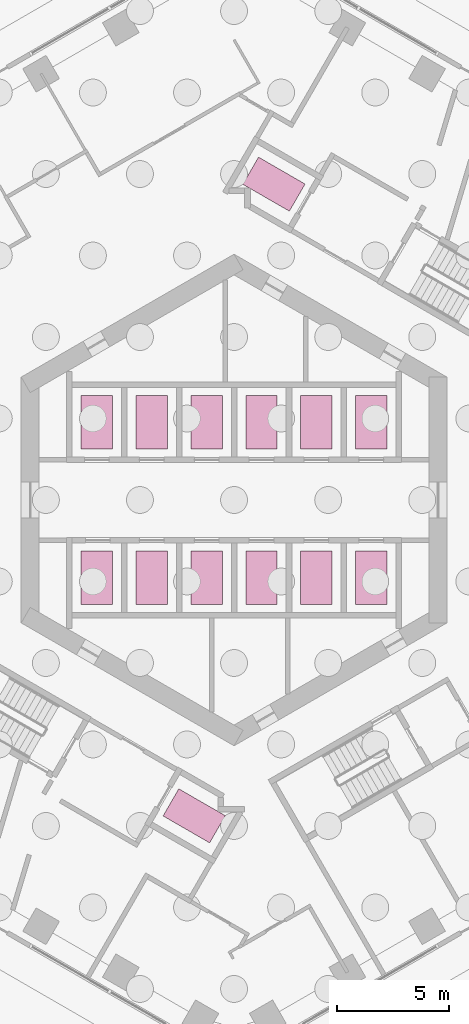
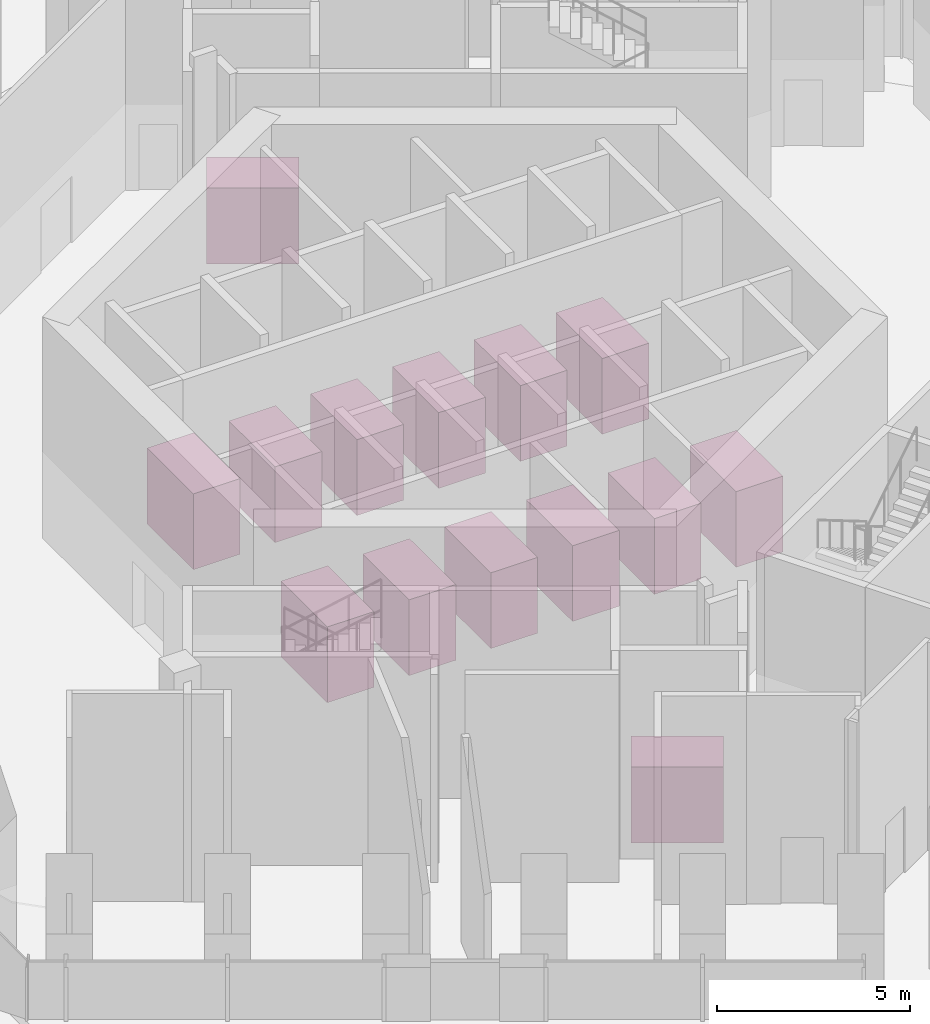
# One storey, part 18 of 18: 14 transport elements.
"""IFC4 building model written with IfcOpenShell, lengths in metres."""

from ifc_helpers import new_model, si_unit, direction, frame, origin, origin_2d, place, context, subcontext, project, spatial, rectangle, extrude, material, type_object, element, save


model = new_model("IFC4")

# Units and contexts
model_context = context("Model", 3, precision=1e-05, world=origin(), true_north=direction((0.0, 1.0)))
body_context = subcontext(model_context, "Body", "Model", "MODEL_VIEW")
ifc_project = project(units=[si_unit("LENGTHUNIT", "METRE"), si_unit("AREAUNIT", "SQUARE_METRE"), si_unit("VOLUMEUNIT", "CUBIC_METRE"), si_unit("PLANEANGLEUNIT", "RADIAN"), si_unit("MASSUNIT", "GRAM", prefix="KILO")], contexts=[model_context])

# Site, building, storey
site_placement = place(None, origin())
site = spatial("IfcSite", under=ifc_project, at=site_placement, CompositionType="ELEMENT")
building_placement = place(site_placement, origin())
building = spatial("IfcBuilding", under=site, at=building_placement, Name="Ayvan Gate Tower", CompositionType="ELEMENT")
storey_placement = place(building_placement, origin())
storey = spatial("IfcBuildingStorey", under=building, at=storey_placement, Name="L00", CompositionType="ELEMENT", Elevation=0.0)

# Transport elements
ifc_material = material(Name="Stainless steel car", Category="steel")
transport_element_type = type_object("IfcTransportElementType", Name="LIFT-CAR", PredefinedType="ELEVATOR", material=ifc_material)
for number, where, z_axis, x_axis, name in (
    (1, (1.77978515625, 14.0966796875, 0.0), (0.0, 0.0, 1.0), (-0.866025403784, 0.5, 0.0), "FF1"),
    (2, (-1.77978515625, -14.0966796875, 0.0), (0.0, 0.0, 1.0), (0.866025403784, -0.5, 0.0), "FF2"),
):
    element("IfcTransportElement", number, at=place(storey_placement, frame(where, z_axis=z_axis, x_axis=x_axis)), inside=storey, type_object=transport_element_type, Name=name, PredefinedType="ELEVATOR", context=body_context, shape_type="SweptSolid", body=[
        extrude(rectangle(XDim=2.39990234375, YDim=1.39990234375, at=origin_2d()), origin(), (0.0, 0.0, 1.0), 2.39990234375),
    ])
for number, where, z_axis, x_axis, name in (
    (3, (-6.125, 3.47509765625, 0.0), (0.0, 0.0, 1.0), (1.0, 0.0, 0.0), "HR1"),
    (4, (-3.675048828125, 3.47509765625, 0.0), (0.0, 0.0, 1.0), (1.0, 0.0, 0.0), "HR2"),
    (5, (-1.22509765625, 3.47509765625, 0.0), (0.0, 0.0, 1.0), (1.0, 0.0, 0.0), "HR3"),
    (6, (1.22509765625, 3.47509765625, 0.0), (0.0, 0.0, 1.0), (1.0, 0.0, 0.0), "HR4"),
    (7, (3.675048828125, 3.47509765625, 0.0), (0.0, 0.0, 1.0), (1.0, 0.0, 0.0), "HR5"),
    (8, (6.125, 3.47509765625, 0.0), (0.0, 0.0, 1.0), (1.0, 0.0, 0.0), "HR6"),
    (9, (-6.125, -3.47509765625, 0.0), (0.0, 0.0, 1.0), (1.0, 0.0, 0.0), "LR1"),
    (10, (-3.675048828125, -3.47509765625, 0.0), (0.0, 0.0, 1.0), (1.0, 0.0, 0.0), "LR2"),
    (11, (-1.22509765625, -3.47509765625, 0.0), (0.0, 0.0, 1.0), (1.0, 0.0, 0.0), "LR3"),
    (12, (1.22509765625, -3.47509765625, 0.0), (0.0, 0.0, 1.0), (1.0, 0.0, 0.0), "LR4"),
    (13, (6.125, -3.47509765625, 0.0), (0.0, 0.0, 1.0), (1.0, 0.0, 0.0), "OB"),
    (14, (3.675048828125, -3.47509765625, 0.0), (0.0, 0.0, 1.0), (1.0, 0.0, 0.0), "SV"),
):
    element("IfcTransportElement", number, at=place(storey_placement, frame(where, z_axis=z_axis, x_axis=x_axis)), inside=storey, type_object=transport_element_type, Name=name, PredefinedType="ELEVATOR", context=body_context, shape_type="SweptSolid", body=[
        extrude(rectangle(XDim=1.39990234375, YDim=2.39990234375, at=origin_2d()), origin(), (0.0, 0.0, 1.0), 2.39990234375),
    ])

save(model, "model.ifc")
